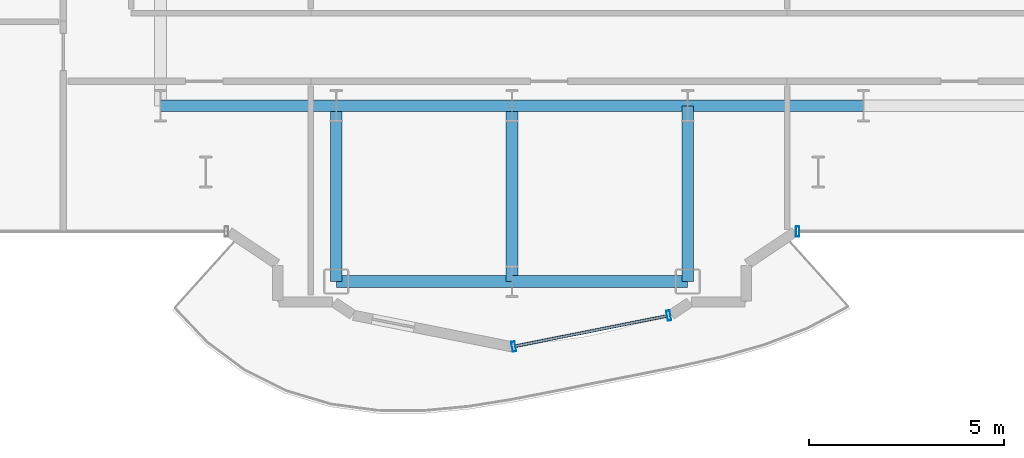
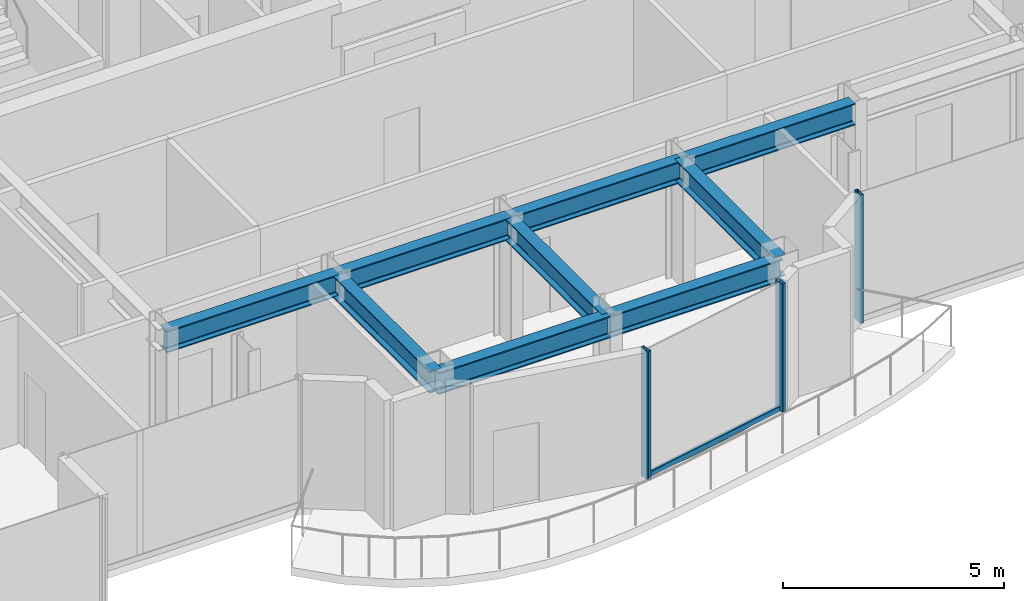
# One storey, part 3 of 21: 9 beams, 4 members, 2 elements without a shape of their own.
"""IFC4 building model written with IfcOpenShell, lengths in metres."""

from ifc_helpers import new_model, si_unit, direction, frame, origin, origin_2d, place, context, subcontext, project, spatial, hollow_rectangle, i_section, extrude, source, transform, mapped, material, layer, layer_set, material_profile, profile_set, type_object, element, aggregate, save


model = new_model("IFC4")

# Units and contexts
model_context = context("Model", 3, precision=1e-05, world=origin(), true_north=direction((0.0, 1.0)))
body_context = subcontext(model_context, "Body", "Model", "MODEL_VIEW")
ifc_project = project(units=[si_unit("LENGTHUNIT", "METRE"), si_unit("AREAUNIT", "SQUARE_METRE"), si_unit("VOLUMEUNIT", "CUBIC_METRE"), si_unit("PLANEANGLEUNIT", "RADIAN"), si_unit("MASSUNIT", "GRAM", prefix="KILO")], contexts=[model_context])

# Site, building, storey
site_placement = place(None, origin())
site = spatial("IfcSite", under=ifc_project, at=site_placement, CompositionType="ELEMENT")
building_placement = place(site_placement, origin())
building = spatial("IfcBuilding", under=site, at=building_placement, Name="Nefas-Gora Pilgrimage Tower", CompositionType="ELEMENT")
storey_placement = place(building_placement, frame((0.0, 0.0, 248.39990234375)))
storey = spatial("IfcBuildingStorey", under=building, at=storey_placement, Name="L62", CompositionType="ELEMENT", Elevation=248.39990234375)

# Beams
ifc_material_1 = material(Name="Steel S355", Category="steel")
ifc_material_profile_1 = material_profile(ifc_material_1, i_section(OverallWidth=0.300048828125, OverallDepth=0.60009765625, WebThickness=0.015380859375, FlangeThickness=0.030029296875, FilletRadius=0.027099609375, at=origin_2d()), Name="HEB 600")
ifc_profile_set_1 = profile_set([ifc_material_profile_1], Name="Steel S355")
beam_type = type_object("IfcBeamType", Name="BM-GIR-HEB600", PredefinedType="BEAM", material=ifc_profile_set_1)
shared_shape_1 = source(origin(), body_context, "Body", "SweptSolid", [
    extrude(i_section(OverallWidth=0.300048828125, OverallDepth=0.60009765625, WebThickness=0.015380859375, FlangeThickness=0.030029296875, FilletRadius=0.027099609375, at=origin_2d()), origin(), (0.0, 0.0, 1.0), 4.5),
])
for number, where, z_axis, x_axis, name in (
    (1, (-11.25, -18.0, 3.25), (1.0, 0.0, 0.0), (0.0, 1.0, 0.0), "L62 G-04 beam"),
    (2, (-6.75, -22.5, 3.25), (0.0, 1.0, 0.0), (-1.0, 0.0, 0.0), "L62 G-04 beam"),
    (3, (-6.75, -22.5, 3.25), (1.0, 0.0, 0.0), (0.0, 1.0, 0.0), "L62 G-04 beam"),
    (4, (-6.75, -18.0, 3.25), (1.0, 0.0, 0.0), (0.0, 1.0, 0.0), "L62 G-04 beam"),
    (5, (-2.25, -22.5, 3.25), (0.0, 1.0, 0.0), (-1.0, 0.0, 0.0), "L62 G-04 beam"),
    (6, (-2.25, -22.5, 3.25), (1.0, 0.0, 0.0), (0.0, 1.0, 0.0), "L62 G-04 beam"),
    (7, (-2.25, -18.0, 3.25), (1.0, 0.0, 0.0), (0.0, 1.0, 0.0), "L62 G-04 beam"),
    (8, (2.25, -22.5, 3.25), (0.0, 1.0, 0.0), (-1.0, 0.0, 0.0), "L62 G-04 beam"),
    (9, (2.25, -18.0, 3.25), (1.0, 0.0, 0.0), (0.0, 1.0, 0.0), "L62 G-04 beam"),
):
    element("IfcBeam", number, at=place(storey_placement, frame(where, z_axis=z_axis, x_axis=x_axis)), inside=storey, type_object=beam_type, Name=name, PredefinedType="BEAM", context=body_context, shape_type="MappedRepresentation", body=[
        mapped(shared_shape_1, transform((0.0, 0.0, 0.0), x_axis=(1.0, 0.0, 0.0), y_axis=(0.0, 1.0, 0.0), z_axis=(0.0, 0.0, 1.0), scale=1.0)),
    ])

# Curtain wall, member
ifc_material_2 = material(Name="Dark ceramic-fritted solar-control aluminium-glass curtain wall", Category="aluminium")
ifc_layer = layer(ifc_material_2, 0.219970703125)
ifc_layer_set = layer_set([ifc_layer], Name="Dark ceramic-fritted solar-control aluminium-glass curtain wall")
curtain_wall_type = type_object("IfcCurtainWallType", Name="CW-SYS-5", PredefinedType="NOTDEFINED", material=ifc_layer_set)
curtain_wall_1_placement = place(storey_placement, origin())
curtain_wall_1 = element("IfcCurtainWall", 10, at=curtain_wall_1_placement, inside=storey, type_object=curtain_wall_type, Name="L62 Unitised Curtain Wall CW5", PredefinedType="NOTDEFINED")
ifc_material_3 = material(Name="Anodised architectural aluminium", Category="aluminium")
ifc_material_profile_2 = material_profile(ifc_material_3, hollow_rectangle(XDim=0.090087890625, YDim=0.260009765625, WallThickness=0.006103515625, InnerFilletRadius=0.006103515625, OuterFilletRadius=0.011962890625, at=origin_2d()), Name="ALU MULLION 90x260")
ifc_profile_set_2 = profile_set([ifc_material_profile_2], Name="Anodised architectural aluminium")
member_type_1 = type_object("IfcMemberType", Name="CWM-MUL-5", PredefinedType="MULLION", material=ifc_profile_set_2)
shared_shape_2 = source(origin(), body_context, "Body", "SweptSolid", [
    extrude(hollow_rectangle(XDim=0.090087890625, YDim=0.260009765625, WallThickness=0.006103515625, InnerFilletRadius=0.006103515625, OuterFilletRadius=0.011962890625, at=origin_2d()), origin(), (0.0, 0.0, 1.0), 3.550048828125),
])
member_1_placement = place(storey_placement, frame((5.06298828125, -21.219970703125, 0.0), z_axis=(0.0, 0.0, 1.0), x_axis=(1.0, 0.0, 0.0)))
member_1 = element("IfcMember", 11, at=member_1_placement, type_object=member_type_1, Name="CW5 Mullion 1", PredefinedType="MULLION", context=body_context, shape_type="MappedRepresentation", body=[
    mapped(shared_shape_2, transform((0.0, 0.0, 0.0), x_axis=(1.0, 0.0, 0.0), y_axis=(0.0, 1.0, 0.0), z_axis=(0.0, 0.0, 1.0), scale=1.0)),
])
aggregate(curtain_wall_1, [member_1])

# Curtain wall, members
curtain_wall_2_placement = place(storey_placement, origin())
curtain_wall_2 = element("IfcCurtainWall", 12, at=curtain_wall_2_placement, inside=storey, type_object=curtain_wall_type, Name="L62 Unitised Curtain Wall CW5", PredefinedType="NOTDEFINED")
member_2_placement = place(storey_placement, frame((-2.205810546875, -24.16357421875, 0.0), z_axis=(0.0, 0.0, 1.0), x_axis=(0.980782896852, 0.195102304554, 0.0)))
member_2 = element("IfcMember", 13, at=member_2_placement, type_object=member_type_1, Name="CW5 Mullion 1", PredefinedType="MULLION", context=body_context, shape_type="MappedRepresentation", body=[
    mapped(shared_shape_2, transform((0.0, 0.0, 0.0), x_axis=(1.0, 0.0, 0.0), y_axis=(0.0, 1.0, 0.0), z_axis=(0.0, 0.0, 1.0), scale=1.0)),
])
member_3_placement = place(storey_placement, frame((1.76318359375, -23.3740234375, 0.0), z_axis=(0.0, 0.0, 1.0), x_axis=(0.980782896852, 0.195102304554, 0.0)))
member_3 = element("IfcMember", 14, at=member_3_placement, type_object=member_type_1, Name="CW5 Mullion 2", PredefinedType="MULLION", context=body_context, shape_type="MappedRepresentation", body=[
    mapped(shared_shape_2, transform((0.0, 0.0, 0.0), x_axis=(1.0, 0.0, 0.0), y_axis=(0.0, 1.0, 0.0), z_axis=(0.0, 0.0, 1.0), scale=1.0)),
])
ifc_material_profile_3 = material_profile(ifc_material_3, hollow_rectangle(XDim=0.080078125, YDim=0.159912109375, WallThickness=0.00439453125, InnerFilletRadius=0.00439453125, OuterFilletRadius=0.009033203125, at=origin_2d()), Name="ALU TRANSOM 80x160")
ifc_profile_set_3 = profile_set([ifc_material_profile_3], Name="Anodised architectural aluminium")
member_type_2 = type_object("IfcMemberType", Name="CWM-TRN-5", PredefinedType="USERDEFINED", material=ifc_profile_set_3)
shared_shape_3 = source(origin(), body_context, "Body", "SweptSolid", [
    extrude(hollow_rectangle(XDim=0.080078125, YDim=0.159912109375, WallThickness=0.00439453125, InnerFilletRadius=0.00439453125, OuterFilletRadius=0.009033203125, at=origin_2d()), origin(), (0.0, 0.0, 1.0), 3.95654296875),
])
member_4_placement = place(storey_placement, frame((-2.16162109375, -24.15478515625, 0.050048828125), z_axis=(0.980781880918, 0.195107411605, 0.0), x_axis=(-0.195107411605, 0.980781880918, 0.0)))
member_4 = element("IfcMember", 15, at=member_4_placement, type_object=member_type_2, Name="CW5 Spandrel Transom", ObjectType="TRANSOM", PredefinedType="USERDEFINED", context=body_context, shape_type="MappedRepresentation", body=[
    mapped(shared_shape_3, transform((0.0, 0.0, 0.0), x_axis=(1.0, 0.0, 0.0), y_axis=(0.0, 1.0, 0.0), z_axis=(0.0, 0.0, 1.0), scale=1.0)),
])
aggregate(curtain_wall_2, [member_2, member_3, member_4])

save(model, "model.ifc")
